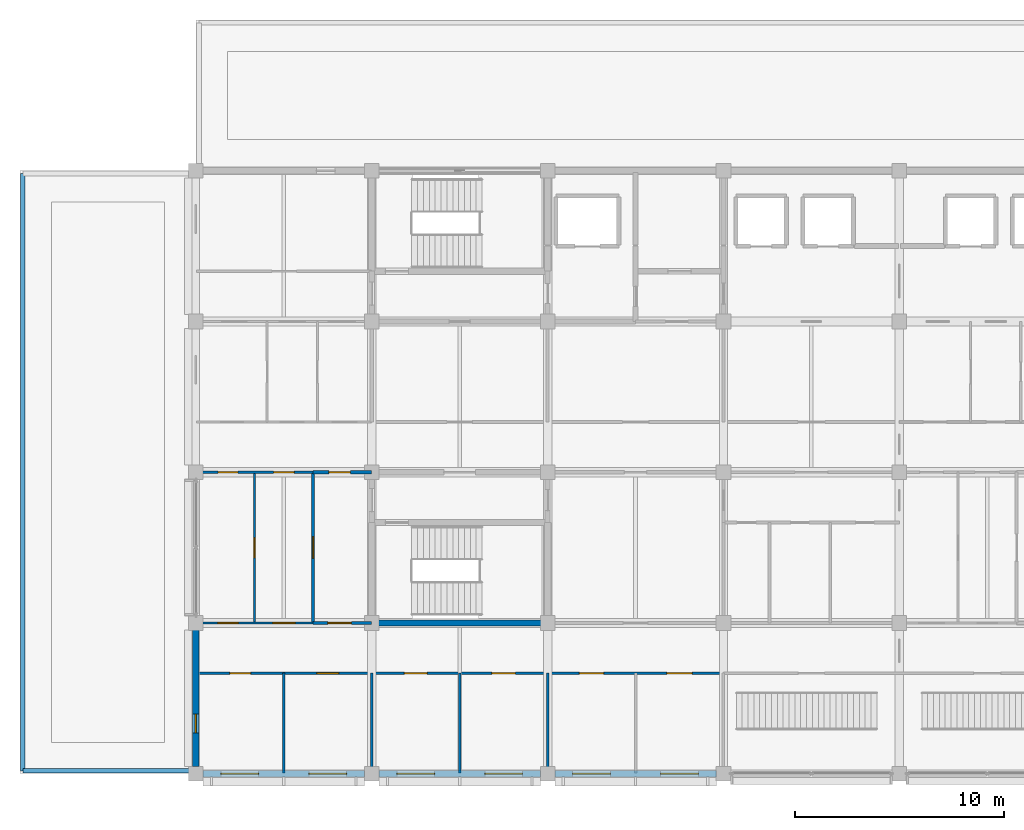
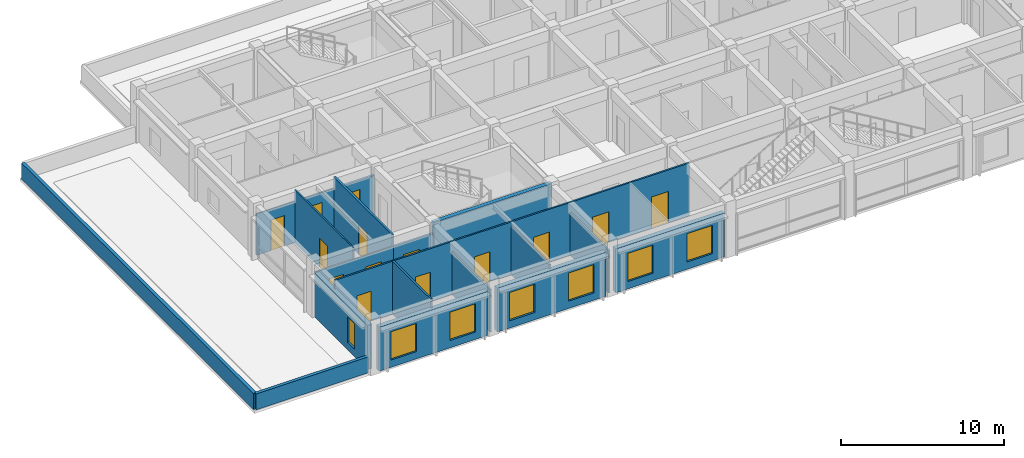
# One storey, part 9 of 19: 18 walls, 14 doors, 7 windows, 21 openings.
"""IFC4 building model written with IfcOpenShell, lengths in metres."""

from ifc_helpers import new_model, si_unit, direction, frame, frame_2d, origin, place, context, subcontext, project, spatial, rectangle, extrude, material, layer, layer_set, type_object, element, fill, save


model = new_model("IFC4")

# Units and contexts
model_context = context("Model", 3, precision=1e-05, world=origin(), true_north=direction((0.0, 1.0)))
body_context = subcontext(model_context, "Body", "Model", "MODEL_VIEW")
ifc_project = project(units=[si_unit("LENGTHUNIT", "METRE"), si_unit("AREAUNIT", "SQUARE_METRE"), si_unit("VOLUMEUNIT", "CUBIC_METRE"), si_unit("PLANEANGLEUNIT", "RADIAN"), si_unit("MASSUNIT", "GRAM", prefix="KILO")], contexts=[model_context])

# Site, building, storey
site_placement = place(None, origin())
site = spatial("IfcSite", under=ifc_project, at=site_placement, CompositionType="ELEMENT")
building_placement = place(site_placement, origin())
building = spatial("IfcBuilding", under=site, at=building_placement, Name="Chengyuan Square Courthouse", CompositionType="ELEMENT")
storey_placement = place(building_placement, frame((0.0, 0.0, 47.699951171875)))
storey = spatial("IfcBuildingStorey", under=building, at=storey_placement, Name="L11", CompositionType="ELEMENT", Elevation=47.699951171875)

# Wall, openings, windows
ifc_material_1 = material(Name="Concrete C40", Category="concrete")
ifc_layer_1 = layer(ifc_material_1, 0.320068359375)
ifc_layer_set_1 = layer_set([ifc_layer_1], Name="Concrete C40")
wall_type_1 = type_object("IfcWallType", Name="WL-EW3", PredefinedType="STANDARD", material=ifc_layer_set_1)
wall_1_placement = place(storey_placement, frame((50.7451171875, 79.199951171875, 0.0), z_axis=(0.0, 0.0, 1.0), x_axis=(1.0, 0.0, 0.0)))
wall_1 = element("IfcWall", 1, at=wall_1_placement, inside=storey, type_object=wall_type_1, Name="Exterior Wall WL-L11-E446", PredefinedType="STANDARD", context=body_context, shape_type="SweptSolid", body=[
    extrude(rectangle(XDim=7.7099609375, YDim=0.320068359375, at=frame_2d((3.85498046875, 0.0))), origin(), (0.0, 0.0, 1.0), 3.31005859375),
])
opening_1_placement = place(wall_1_placement, frame((0.85498046875, 0.0, 0.550048828125)))
opening_1 = element("IfcOpeningElement", 2, at=opening_1_placement, cuts=wall_1, Name="Opening WN-178", PredefinedType="OPENING", context=body_context, shape_type="SweptSolid", body=[
    extrude(rectangle(XDim=1.800048828125, YDim=2.1201171875, at=frame_2d((0.89990234375, 1.06005859375))), frame((0.0, 0.172119140625, 0.0), z_axis=(0.0, -1.0, 0.0), x_axis=(1.0, 0.0, 0.0)), (0.0, 0.0, 1.0), 0.343994140625),
])
opening_2_placement = place(wall_1_placement, frame((5.054931640625, 0.0, 0.550048828125)))
opening_2 = element("IfcOpeningElement", 3, at=opening_2_placement, cuts=wall_1, Name="Opening WN-179", PredefinedType="OPENING", context=body_context, shape_type="SweptSolid", body=[
    extrude(rectangle(XDim=1.800048828125, YDim=2.1201171875, at=frame_2d((0.89990234375, 1.06005859375))), frame((0.0, 0.172119140625, 0.0), z_axis=(0.0, -1.0, 0.0), x_axis=(1.0, 0.0, 0.0)), (0.0, 0.0, 1.0), 0.343994140625),
])
ifc_material_2 = material(Name="Thermally Broken Aluminium Triple Low-E Window", Category="aluminium")
window_type_1 = type_object("IfcWindowType", Name="WT-36", PartitioningType="SINGLE_PANEL", PredefinedType="WINDOW", material=ifc_material_2)
window_1_placement = place(opening_1_placement, origin())
window_1 = element("IfcWindow", 4, at=window_1_placement, inside=storey, type_object=window_type_1, Name="Facade Window WN-178", OverallHeight=2.1201171875, OverallWidth=1.800048828125, PartitioningType="SINGLE_PANEL", PredefinedType="WINDOW", context=body_context, shape_type="SweptSolid", body=[
    extrude(rectangle(XDim=1.800048828125, YDim=2.1201171875, at=frame_2d((0.89990234375, 1.06005859375))), frame((0.0, 0.030029296875, 0.0), z_axis=(0.0, -1.0, 0.0), x_axis=(1.0, 0.0, 0.0)), (0.0, 0.0, 1.0), 0.06005859375),
])
fill(opening_1, window_1)
window_2_placement = place(opening_2_placement, origin())
window_2 = element("IfcWindow", 5, at=window_2_placement, inside=storey, type_object=window_type_1, Name="Facade Window WN-179", OverallHeight=2.1201171875, OverallWidth=1.800048828125, PartitioningType="SINGLE_PANEL", PredefinedType="WINDOW", context=body_context, shape_type="SweptSolid", body=[
    extrude(rectangle(XDim=1.800048828125, YDim=2.1201171875, at=frame_2d((0.89990234375, 1.06005859375))), frame((0.0, 0.030029296875, 0.0), z_axis=(0.0, -1.0, 0.0), x_axis=(1.0, 0.0, 0.0)), (0.0, 0.0, 1.0), 0.06005859375),
])
fill(opening_2, window_2)

# Wall, opening, window
wall_2_placement = place(storey_placement, frame((50.39990234375, 79.544921875, 0.0), z_axis=(0.0, 0.0, 1.0), x_axis=(0.0, 1.0, 0.0)))
wall_2 = element("IfcWall", 6, at=wall_2_placement, inside=storey, type_object=wall_type_1, Name="Exterior Wall WL-L11-E447", PredefinedType="STANDARD", context=body_context, shape_type="SweptSolid", body=[
    extrude(rectangle(XDim=6.510009765625, YDim=0.320068359375, at=frame_2d((3.2548828125, 0.0))), origin(), (0.0, 0.0, 1.0), 3.31005859375),
])
opening_3_placement = place(wall_2_placement, frame((1.60498046875, 0.0, 0.550048828125)))
opening_3 = element("IfcOpeningElement", 7, at=opening_3_placement, cuts=wall_2, Name="Opening WN-180", PredefinedType="OPENING", context=body_context, shape_type="SweptSolid", body=[
    extrude(rectangle(XDim=0.89990234375, YDim=1.919921875, at=frame_2d((0.449951171875, 0.9599609375))), frame((0.0, 0.172119140625, 0.0), z_axis=(0.0, -1.0, 0.0), x_axis=(1.0, 0.0, 0.0)), (0.0, 0.0, 1.0), 0.343994140625),
])
window_type_2 = type_object("IfcWindowType", Name="WT-05", PartitioningType="SINGLE_PANEL", PredefinedType="WINDOW", material=ifc_material_2)
window_3_placement = place(opening_3_placement, origin())
window_3 = element("IfcWindow", 8, at=window_3_placement, inside=storey, type_object=window_type_2, Name="Facade Window WN-180", OverallHeight=1.919921875, OverallWidth=0.89990234375, PartitioningType="SINGLE_PANEL", PredefinedType="WINDOW", context=body_context, shape_type="SweptSolid", body=[
    extrude(rectangle(XDim=0.89990234375, YDim=1.919921875, at=frame_2d((0.449951171875, 0.9599609375))), frame((0.0, 0.030029296875, 0.0), z_axis=(0.0, -1.0, 0.0), x_axis=(1.0, 0.0, 0.0)), (0.0, 0.0, 1.0), 0.06005859375),
])
fill(opening_3, window_3)

# Wall, openings, windows
wall_3_placement = place(storey_placement, frame((59.14501953125, 79.199951171875, 0.0), z_axis=(0.0, 0.0, 1.0), x_axis=(1.0, 0.0, 0.0)))
wall_3 = element("IfcWall", 9, at=wall_3_placement, inside=storey, type_object=wall_type_1, Name="Exterior Wall WL-L11-E451", PredefinedType="STANDARD", context=body_context, shape_type="SweptSolid", body=[
    extrude(rectangle(XDim=7.7099609375, YDim=0.320068359375, at=frame_2d((3.85498046875, 0.0))), origin(), (0.0, 0.0, 1.0), 3.31005859375),
])
opening_4_placement = place(wall_3_placement, frame((0.85498046875, 0.0, 0.550048828125)))
opening_4 = element("IfcOpeningElement", 10, at=opening_4_placement, cuts=wall_3, Name="Opening WN-184", PredefinedType="OPENING", context=body_context, shape_type="SweptSolid", body=[
    extrude(rectangle(XDim=1.800048828125, YDim=2.1201171875, at=frame_2d((0.89990234375, 1.06005859375))), frame((0.0, 0.172119140625, 0.0), z_axis=(0.0, -1.0, 0.0), x_axis=(1.0, 0.0, 0.0)), (0.0, 0.0, 1.0), 0.343994140625),
])
opening_5_placement = place(wall_3_placement, frame((5.054931640625, 0.0, 0.550048828125)))
opening_5 = element("IfcOpeningElement", 11, at=opening_5_placement, cuts=wall_3, Name="Opening WN-185", PredefinedType="OPENING", context=body_context, shape_type="SweptSolid", body=[
    extrude(rectangle(XDim=1.800048828125, YDim=2.1201171875, at=frame_2d((0.89990234375, 1.06005859375))), frame((0.0, 0.172119140625, 0.0), z_axis=(0.0, -1.0, 0.0), x_axis=(1.0, 0.0, 0.0)), (0.0, 0.0, 1.0), 0.343994140625),
])
window_4_placement = place(opening_4_placement, origin())
window_4 = element("IfcWindow", 12, at=window_4_placement, inside=storey, type_object=window_type_1, Name="Facade Window WN-184", OverallHeight=2.1201171875, OverallWidth=1.800048828125, PartitioningType="SINGLE_PANEL", PredefinedType="WINDOW", context=body_context, shape_type="SweptSolid", body=[
    extrude(rectangle(XDim=1.800048828125, YDim=2.1201171875, at=frame_2d((0.89990234375, 1.06005859375))), frame((0.0, 0.030029296875, 0.0), z_axis=(0.0, -1.0, 0.0), x_axis=(1.0, 0.0, 0.0)), (0.0, 0.0, 1.0), 0.06005859375),
])
fill(opening_4, window_4)
window_5_placement = place(opening_5_placement, origin())
window_5 = element("IfcWindow", 13, at=window_5_placement, inside=storey, type_object=window_type_1, Name="Facade Window WN-185", OverallHeight=2.1201171875, OverallWidth=1.800048828125, PartitioningType="SINGLE_PANEL", PredefinedType="WINDOW", context=body_context, shape_type="SweptSolid", body=[
    extrude(rectangle(XDim=1.800048828125, YDim=2.1201171875, at=frame_2d((0.89990234375, 1.06005859375))), frame((0.0, 0.030029296875, 0.0), z_axis=(0.0, -1.0, 0.0), x_axis=(1.0, 0.0, 0.0)), (0.0, 0.0, 1.0), 0.06005859375),
])
fill(opening_5, window_5)

wall_4_placement = place(storey_placement, frame((67.544921875, 79.199951171875, 0.0), z_axis=(0.0, 0.0, 1.0), x_axis=(1.0, 0.0, 0.0)))
wall_4 = element("IfcWall", 14, at=wall_4_placement, inside=storey, type_object=wall_type_1, Name="Exterior Wall WL-L11-E453", PredefinedType="STANDARD", context=body_context, shape_type="SweptSolid", body=[
    extrude(rectangle(XDim=7.7099609375, YDim=0.320068359375, at=frame_2d((3.85498046875, 0.0))), origin(), (0.0, 0.0, 1.0), 3.31005859375),
])
opening_6_placement = place(wall_4_placement, frame((0.85498046875, 0.0, 0.550048828125)))
opening_6 = element("IfcOpeningElement", 15, at=opening_6_placement, cuts=wall_4, Name="Opening WN-186", PredefinedType="OPENING", context=body_context, shape_type="SweptSolid", body=[
    extrude(rectangle(XDim=1.800048828125, YDim=2.1201171875, at=frame_2d((0.89990234375, 1.06005859375))), frame((0.0, 0.172119140625, 0.0), z_axis=(0.0, -1.0, 0.0), x_axis=(1.0, 0.0, 0.0)), (0.0, 0.0, 1.0), 0.343994140625),
])
opening_7_placement = place(wall_4_placement, frame((5.054931640625, 0.0, 0.550048828125)))
opening_7 = element("IfcOpeningElement", 16, at=opening_7_placement, cuts=wall_4, Name="Opening WN-187", PredefinedType="OPENING", context=body_context, shape_type="SweptSolid", body=[
    extrude(rectangle(XDim=1.800048828125, YDim=2.1201171875, at=frame_2d((0.89990234375, 1.06005859375))), frame((0.0, 0.172119140625, 0.0), z_axis=(0.0, -1.0, 0.0), x_axis=(1.0, 0.0, 0.0)), (0.0, 0.0, 1.0), 0.343994140625),
])
window_6_placement = place(opening_6_placement, origin())
window_6 = element("IfcWindow", 17, at=window_6_placement, inside=storey, type_object=window_type_1, Name="Facade Window WN-186", OverallHeight=2.1201171875, OverallWidth=1.800048828125, PartitioningType="SINGLE_PANEL", PredefinedType="WINDOW", context=body_context, shape_type="SweptSolid", body=[
    extrude(rectangle(XDim=1.800048828125, YDim=2.1201171875, at=frame_2d((0.89990234375, 1.06005859375))), frame((0.0, 0.030029296875, 0.0), z_axis=(0.0, -1.0, 0.0), x_axis=(1.0, 0.0, 0.0)), (0.0, 0.0, 1.0), 0.06005859375),
])
fill(opening_6, window_6)
window_7_placement = place(opening_7_placement, origin())
window_7 = element("IfcWindow", 18, at=window_7_placement, inside=storey, type_object=window_type_1, Name="Facade Window WN-187", OverallHeight=2.1201171875, OverallWidth=1.800048828125, PartitioningType="SINGLE_PANEL", PredefinedType="WINDOW", context=body_context, shape_type="SweptSolid", body=[
    extrude(rectangle(XDim=1.800048828125, YDim=2.1201171875, at=frame_2d((0.89990234375, 1.06005859375))), frame((0.0, 0.030029296875, 0.0), z_axis=(0.0, -1.0, 0.0), x_axis=(1.0, 0.0, 0.0)), (0.0, 0.0, 1.0), 0.06005859375),
])
fill(opening_7, window_7)

# Walls
ifc_layer_2 = layer(ifc_material_1, 0.219970703125)
ifc_layer_set_2 = layer_set([ifc_layer_2], Name="Concrete C40")
wall_type_2 = type_object("IfcWallType", Name="WL-PR1", PredefinedType="PARAPET", material=ifc_layer_set_2)
wall_5_placement = place(storey_placement, frame((42.139892578125, 79.340087890625, 0.0), z_axis=(0.0, 0.0, 1.0), x_axis=(1.0, 0.0, 0.0)))
element("IfcWall", 19, at=wall_5_placement, inside=storey, type_object=wall_type_2, Name="Roof Parapet Wall PAR-L11-031", PredefinedType="PARAPET", context=body_context, shape_type="SweptSolid", body=[
    extrude(rectangle(XDim=7.960205078125, YDim=0.219970703125, at=frame_2d((3.97998046875, 0.0))), origin(), (0.0, 0.0, 1.0), 1.199951171875),
])
wall_6_placement = place(storey_placement, frame((42.139892578125, 107.860107421875, 0.0), z_axis=(0.0, 0.0, 1.0), x_axis=(0.0, -1.0, 0.0)))
element("IfcWall", 20, at=wall_6_placement, inside=storey, type_object=wall_type_2, Name="Roof Parapet Wall PAR-L11-033", PredefinedType="PARAPET", context=body_context, shape_type="SweptSolid", body=[
    extrude(rectangle(XDim=28.52001953125, YDim=0.219970703125, at=frame_2d((14.260009765625, 0.0))), origin(), (0.0, 0.0, 1.0), 1.199951171875),
])

# Wall, opening, door
ifc_material_3 = material(Name="Deliberation Room Sound-Insulated Partition")
ifc_layer_3 = layer(ifc_material_3, 0.14990234375)
ifc_layer_set_3 = layer_set([ifc_layer_3], Name="Deliberation Room Sound-Insulated Partition")
wall_type_3 = type_object("IfcWallType", Name="WL-PT3", PredefinedType="STANDARD", material=ifc_layer_set_3)
wall_7_placement = place(storey_placement, frame((56.0, 86.39990234375, 0.0), z_axis=(0.0, 0.0, 1.0), x_axis=(1.0, 0.0, 0.0)))
wall_7 = element("IfcWall", 21, at=wall_7_placement, inside=storey, type_object=wall_type_3, Name="Interior Wall WL-L11-I3510", PredefinedType="STANDARD", context=body_context, shape_type="SweptSolid", body=[
    extrude(rectangle(XDim=2.800048828125, YDim=0.14990234375, at=frame_2d((1.39990234375, 0.0))), origin(), (0.0, 0.0, 1.0), 3.110107421875),
])
opening_8_placement = place(wall_7_placement, frame((0.705078125, 0.0, 0.0)))
opening_8 = element("IfcOpeningElement", 22, at=opening_8_placement, cuts=wall_7, Name="Opening DR-2988", PredefinedType="OPENING", context=body_context, shape_type="SweptSolid", body=[
    extrude(rectangle(XDim=1.1201171875, YDim=2.25, at=frame_2d((0.56005859375, 1.125))), frame((0.0, 0.0869140625, 0.0), z_axis=(0.0, -1.0, 0.0), x_axis=(1.0, 0.0, 0.0)), (0.0, 0.0, 1.0), 0.173828125),
])
ifc_material_4 = material(Name="Acoustic Solid-Core Timber Door", Category="wood")
door_type_1 = type_object("IfcDoorType", Name="DT-34", OperationType="NOTDEFINED", PredefinedType="DOOR", material=ifc_material_4)
door_1_placement = place(opening_8_placement, origin())
door_1 = element("IfcDoor", 23, at=door_1_placement, inside=storey, type_object=door_type_1, Name="Interior Door DR-2988", OperationType="SINGLE_SWING_LEFT", OverallHeight=2.25, OverallWidth=1.1201171875, PredefinedType="DOOR", context=body_context, shape_type="SweptSolid", body=[
    extrude(rectangle(XDim=1.1201171875, YDim=2.25, at=frame_2d((0.56005859375, 1.125))), frame((0.0, 0.02490234375, 0.0), z_axis=(0.0, -1.0, 0.0), x_axis=(1.0, 0.0, 0.0)), (0.0, 0.0, 1.0), 0.050048828125),
])
fill(opening_8, door_1)

wall_8_placement = place(storey_placement, frame((56.0, 93.60009765625, 0.0), z_axis=(0.0, 0.0, 1.0), x_axis=(1.0, 0.0, 0.0)))
wall_8 = element("IfcWall", 24, at=wall_8_placement, inside=storey, type_object=wall_type_3, Name="Interior Wall WL-L11-I3523", PredefinedType="STANDARD", context=body_context, shape_type="SweptSolid", body=[
    extrude(rectangle(XDim=2.800048828125, YDim=0.14990234375, at=frame_2d((1.39990234375, 0.0))), origin(), (0.0, 0.0, 1.0), 3.110107421875),
])
opening_9_placement = place(wall_8_placement, frame((0.7548828125, 0.0, 0.0)))
opening_9 = element("IfcOpeningElement", 25, at=opening_9_placement, cuts=wall_8, Name="Opening DR-2961", PredefinedType="OPENING", context=body_context, shape_type="SweptSolid", body=[
    extrude(rectangle(XDim=1.02001953125, YDim=2.39990234375, at=frame_2d((0.510009765625, 1.199951171875))), frame((0.0, 0.0869140625, 0.0), z_axis=(0.0, -1.0, 0.0), x_axis=(1.0, 0.0, 0.0)), (0.0, 0.0, 1.0), 0.173828125),
])
door_type_2 = type_object("IfcDoorType", Name="DT-41", OperationType="NOTDEFINED", PredefinedType="DOOR", material=ifc_material_4)
door_2_placement = place(opening_9_placement, origin())
door_2 = element("IfcDoor", 26, at=door_2_placement, inside=storey, type_object=door_type_2, Name="Interior Door DR-2961", OperationType="SINGLE_SWING_RIGHT", OverallHeight=2.39990234375, OverallWidth=1.02001953125, PredefinedType="DOOR", context=body_context, shape_type="SweptSolid", body=[
    extrude(rectangle(XDim=1.02001953125, YDim=2.39990234375, at=frame_2d((0.510009765625, 1.199951171875))), frame((0.0, 0.02490234375, 0.0), z_axis=(0.0, -1.0, 0.0), x_axis=(1.0, 0.0, 0.0)), (0.0, 0.0, 1.0), 0.050048828125),
])
fill(opening_9, door_2)

wall_9_placement = place(storey_placement, frame((56.0, 86.39990234375, 0.0), z_axis=(0.0, 0.0, 1.0), x_axis=(0.0, 1.0, 0.0)))
wall_9 = element("IfcWall", 27, at=wall_9_placement, inside=storey, type_object=wall_type_3, Name="Interior Wall WL-L11-I3566", PredefinedType="STANDARD", context=body_context, shape_type="SweptSolid", body=[
    extrude(rectangle(XDim=7.2001953125, YDim=0.14990234375, at=frame_2d((3.60009765625, 0.0))), origin(), (0.0, 0.0, 1.0), 3.9599609375),
])
opening_10_placement = place(wall_9_placement, frame((3.080078125, 0.0, 0.0)))
opening_10 = element("IfcOpeningElement", 28, at=opening_10_placement, cuts=wall_9, Name="Opening DR-2986", PredefinedType="OPENING", context=body_context, shape_type="SweptSolid", body=[
    extrude(rectangle(XDim=1.0400390625, YDim=2.199951171875, at=frame_2d((0.52001953125, 1.10009765625))), frame((0.0, 0.0869140625, 0.0), z_axis=(0.0, -1.0, 0.0), x_axis=(1.0, 0.0, 0.0)), (0.0, 0.0, 1.0), 0.173828125),
])
door_type_3 = type_object("IfcDoorType", Name="DT-32", OperationType="NOTDEFINED", PredefinedType="DOOR", material=ifc_material_4)
door_3_placement = place(opening_10_placement, origin())
door_3 = element("IfcDoor", 29, at=door_3_placement, inside=storey, type_object=door_type_3, Name="Interior Door DR-2986", OperationType="SINGLE_SWING_LEFT", OverallHeight=2.199951171875, OverallWidth=1.0400390625, PredefinedType="DOOR", context=body_context, shape_type="SweptSolid", body=[
    extrude(rectangle(XDim=1.0400390625, YDim=2.199951171875, at=frame_2d((0.52001953125, 1.10009765625))), frame((0.0, 0.02490234375, 0.0), z_axis=(0.0, -1.0, 0.0), x_axis=(1.0, 0.0, 0.0)), (0.0, 0.0, 1.0), 0.050048828125),
])
fill(opening_10, door_3)

# Wall, openings, doors
ifc_material_5 = material(Name="Judges Chambers Gypsum Stud Partition")
ifc_layer_4 = layer(ifc_material_5, 0.1201171875)
ifc_layer_set_4 = layer_set([ifc_layer_4], Name="Judges Chambers Gypsum Stud Partition")
wall_type_4 = type_object("IfcWallType", Name="WL-PT5", PredefinedType="STANDARD", material=ifc_layer_set_4)
wall_10_placement = place(storey_placement, frame((50.43994140625, 84.0, 0.0), z_axis=(0.0, 0.0, 1.0), x_axis=(1.0, 0.0, 0.0)))
wall_10 = element("IfcWall", 30, at=wall_10_placement, inside=storey, type_object=wall_type_4, Name="Interior Wall WL-L11-I3506", PredefinedType="STANDARD", context=body_context, shape_type="SweptSolid", body=[
    extrude(rectangle(XDim=25.16015625, YDim=0.1201171875, at=frame_2d((12.580078125, 0.0))), origin(), (0.0, 0.0, 1.0), 3.9599609375),
])
opening_11_placement = place(wall_10_placement, frame((1.580078125, 0.0, 0.0)))
opening_11 = element("IfcOpeningElement", 31, at=opening_11_placement, cuts=wall_10, Name="Opening DR-3002", PredefinedType="OPENING", context=body_context, shape_type="SweptSolid", body=[
    extrude(rectangle(XDim=1.0, YDim=2.25, at=frame_2d((0.5, 1.125))), frame((0.0, 0.072021484375, 0.0), z_axis=(0.0, -1.0, 0.0), x_axis=(1.0, 0.0, 0.0)), (0.0, 0.0, 1.0), 0.14404296875),
])
opening_12_placement = place(wall_10_placement, frame((5.739990234375, 0.0, 0.0)))
opening_12 = element("IfcOpeningElement", 32, at=opening_12_placement, cuts=wall_10, Name="Opening DR-3003", PredefinedType="OPENING", context=body_context, shape_type="SweptSolid", body=[
    extrude(rectangle(XDim=1.0400390625, YDim=2.199951171875, at=frame_2d((0.52001953125, 1.10009765625))), frame((0.0, 0.072021484375, 0.0), z_axis=(0.0, -1.0, 0.0), x_axis=(1.0, 0.0, 0.0)), (0.0, 0.0, 1.0), 0.14404296875),
])
opening_13_placement = place(wall_10_placement, frame((9.919921875, 0.0, 0.0)))
opening_13 = element("IfcOpeningElement", 33, at=opening_13_placement, cuts=wall_10, Name="Opening DR-3004", PredefinedType="OPENING", context=body_context, shape_type="SweptSolid", body=[
    extrude(rectangle(XDim=1.080078125, YDim=2.25, at=frame_2d((0.5400390625, 1.125))), frame((0.0, 0.072021484375, 0.0), z_axis=(0.0, -1.0, 0.0), x_axis=(1.0, 0.0, 0.0)), (0.0, 0.0, 1.0), 0.14404296875),
])
opening_14_placement = place(wall_10_placement, frame((14.10009765625, 0.0, 0.0)))
opening_14 = element("IfcOpeningElement", 34, at=opening_14_placement, cuts=wall_10, Name="Opening DR-3005", PredefinedType="OPENING", context=body_context, shape_type="SweptSolid", body=[
    extrude(rectangle(XDim=1.1201171875, YDim=2.25, at=frame_2d((0.56005859375, 1.125))), frame((0.0, 0.072021484375, 0.0), z_axis=(0.0, -1.0, 0.0), x_axis=(1.0, 0.0, 0.0)), (0.0, 0.0, 1.0), 0.14404296875),
])
opening_15_placement = place(wall_10_placement, frame((18.280029296875, 0.0, 0.0)))
opening_15 = element("IfcOpeningElement", 35, at=opening_15_placement, cuts=wall_10, Name="Opening DR-3006", PredefinedType="OPENING", context=body_context, shape_type="SweptSolid", body=[
    extrude(rectangle(XDim=1.159912109375, YDim=2.300048828125, at=frame_2d((0.580078125, 1.14990234375))), frame((0.0, 0.072021484375, 0.0), z_axis=(0.0, -1.0, 0.0), x_axis=(1.0, 0.0, 0.0)), (0.0, 0.0, 1.0), 0.14404296875),
])
opening_16_placement = place(wall_10_placement, frame((22.4599609375, 0.0, 0.0)))
opening_16 = element("IfcOpeningElement", 36, at=opening_16_placement, cuts=wall_10, Name="Opening DR-3007", PredefinedType="OPENING", context=body_context, shape_type="SweptSolid", body=[
    extrude(rectangle(XDim=1.199951171875, YDim=2.35009765625, at=frame_2d((0.60009765625, 1.175048828125))), frame((0.0, 0.072021484375, 0.0), z_axis=(0.0, -1.0, 0.0), x_axis=(1.0, 0.0, 0.0)), (0.0, 0.0, 1.0), 0.14404296875),
])
door_type_4 = type_object("IfcDoorType", Name="DT-31", OperationType="NOTDEFINED", PredefinedType="DOOR", material=ifc_material_4)
door_4_placement = place(opening_11_placement, origin())
door_4 = element("IfcDoor", 37, at=door_4_placement, inside=storey, type_object=door_type_4, Name="Interior Door DR-3002", OperationType="SINGLE_SWING_LEFT", OverallHeight=2.25, OverallWidth=1.0, PredefinedType="DOOR", context=body_context, shape_type="SweptSolid", body=[
    extrude(rectangle(XDim=1.0, YDim=2.25, at=frame_2d((0.5, 1.125))), frame((0.0, 0.02490234375, 0.0), z_axis=(0.0, -1.0, 0.0), x_axis=(1.0, 0.0, 0.0)), (0.0, 0.0, 1.0), 0.050048828125),
])
fill(opening_11, door_4)
door_5_placement = place(opening_12_placement, origin())
door_5 = element("IfcDoor", 38, at=door_5_placement, inside=storey, type_object=door_type_3, Name="Interior Door DR-3003", OperationType="SINGLE_SWING_RIGHT", OverallHeight=2.199951171875, OverallWidth=1.0400390625, PredefinedType="DOOR", context=body_context, shape_type="SweptSolid", body=[
    extrude(rectangle(XDim=1.0400390625, YDim=2.199951171875, at=frame_2d((0.52001953125, 1.10009765625))), frame((0.0, 0.02490234375, 0.0), z_axis=(0.0, -1.0, 0.0), x_axis=(1.0, 0.0, 0.0)), (0.0, 0.0, 1.0), 0.050048828125),
])
fill(opening_12, door_5)
door_type_5 = type_object("IfcDoorType", Name="DT-33", OperationType="NOTDEFINED", PredefinedType="DOOR", material=ifc_material_4)
door_6_placement = place(opening_13_placement, origin())
door_6 = element("IfcDoor", 39, at=door_6_placement, inside=storey, type_object=door_type_5, Name="Interior Door DR-3004", OperationType="SINGLE_SWING_LEFT", OverallHeight=2.25, OverallWidth=1.080078125, PredefinedType="DOOR", context=body_context, shape_type="SweptSolid", body=[
    extrude(rectangle(XDim=1.080078125, YDim=2.25, at=frame_2d((0.5400390625, 1.125))), frame((0.0, 0.02490234375, 0.0), z_axis=(0.0, -1.0, 0.0), x_axis=(1.0, 0.0, 0.0)), (0.0, 0.0, 1.0), 0.050048828125),
])
fill(opening_13, door_6)
door_7_placement = place(opening_14_placement, origin())
door_7 = element("IfcDoor", 40, at=door_7_placement, inside=storey, type_object=door_type_1, Name="Interior Door DR-3005", OperationType="SINGLE_SWING_RIGHT", OverallHeight=2.25, OverallWidth=1.1201171875, PredefinedType="DOOR", context=body_context, shape_type="SweptSolid", body=[
    extrude(rectangle(XDim=1.1201171875, YDim=2.25, at=frame_2d((0.56005859375, 1.125))), frame((0.0, 0.02490234375, 0.0), z_axis=(0.0, -1.0, 0.0), x_axis=(1.0, 0.0, 0.0)), (0.0, 0.0, 1.0), 0.050048828125),
])
fill(opening_14, door_7)
door_type_6 = type_object("IfcDoorType", Name="DT-35", OperationType="NOTDEFINED", PredefinedType="DOOR", material=ifc_material_4)
door_8_placement = place(opening_15_placement, origin())
door_8 = element("IfcDoor", 41, at=door_8_placement, inside=storey, type_object=door_type_6, Name="Interior Door DR-3006", OperationType="SINGLE_SWING_LEFT", OverallHeight=2.300048828125, OverallWidth=1.159912109375, PredefinedType="DOOR", context=body_context, shape_type="SweptSolid", body=[
    extrude(rectangle(XDim=1.159912109375, YDim=2.300048828125, at=frame_2d((0.580078125, 1.14990234375))), frame((0.0, 0.02490234375, 0.0), z_axis=(0.0, -1.0, 0.0), x_axis=(1.0, 0.0, 0.0)), (0.0, 0.0, 1.0), 0.050048828125),
])
fill(opening_15, door_8)
door_type_7 = type_object("IfcDoorType", Name="DT-36", OperationType="NOTDEFINED", PredefinedType="DOOR", material=ifc_material_4)
door_9_placement = place(opening_16_placement, origin())
door_9 = element("IfcDoor", 42, at=door_9_placement, inside=storey, type_object=door_type_7, Name="Interior Door DR-3007", OperationType="SINGLE_SWING_RIGHT", OverallHeight=2.35009765625, OverallWidth=1.199951171875, PredefinedType="DOOR", context=body_context, shape_type="SweptSolid", body=[
    extrude(rectangle(XDim=1.199951171875, YDim=2.35009765625, at=frame_2d((0.60009765625, 1.175048828125))), frame((0.0, 0.02490234375, 0.0), z_axis=(0.0, -1.0, 0.0), x_axis=(1.0, 0.0, 0.0)), (0.0, 0.0, 1.0), 0.050048828125),
])
fill(opening_16, door_9)

# Walls
wall_11_placement = place(storey_placement, frame((54.60009765625, 79.239990234375, 0.0), z_axis=(0.0, 0.0, 1.0), x_axis=(0.0, 1.0, 0.0)))
element("IfcWall", 43, at=wall_11_placement, inside=storey, type_object=wall_type_4, Name="Interior Wall WL-L11-I3565", PredefinedType="STANDARD", context=body_context, shape_type="SweptSolid", body=[
    extrude(rectangle(XDim=4.760009765625, YDim=0.1201171875, at=frame_2d((2.3798828125, 0.0))), origin(), (0.0, 0.0, 1.0), 3.9599609375),
])
wall_12_placement = place(storey_placement, frame((58.800048828125, 79.239990234375, 0.0), z_axis=(0.0, 0.0, 1.0), x_axis=(0.0, 1.0, 0.0)))
element("IfcWall", 44, at=wall_12_placement, inside=storey, type_object=wall_type_4, Name="Interior Wall WL-L11-I3568", PredefinedType="STANDARD", context=body_context, shape_type="SweptSolid", body=[
    extrude(rectangle(XDim=4.760009765625, YDim=0.1201171875, at=frame_2d((2.3798828125, 0.0))), origin(), (0.0, 0.0, 1.0), 3.2099609375),
])
wall_13_placement = place(storey_placement, frame((63.0, 79.239990234375, 0.0), z_axis=(0.0, 0.0, 1.0), x_axis=(0.0, 1.0, 0.0)))
element("IfcWall", 45, at=wall_13_placement, inside=storey, type_object=wall_type_4, Name="Interior Wall WL-L11-I3574", PredefinedType="STANDARD", context=body_context, shape_type="SweptSolid", body=[
    extrude(rectangle(XDim=4.760009765625, YDim=0.1201171875, at=frame_2d((2.3798828125, 0.0))), origin(), (0.0, 0.0, 1.0), 3.610107421875),
])
wall_14_placement = place(storey_placement, frame((67.199951171875, 79.239990234375, 0.0), z_axis=(0.0, 0.0, 1.0), x_axis=(0.0, 1.0, 0.0)))
element("IfcWall", 46, at=wall_14_placement, inside=storey, type_object=wall_type_4, Name="Interior Wall WL-L11-I3575", PredefinedType="STANDARD", context=body_context, shape_type="SweptSolid", body=[
    extrude(rectangle(XDim=4.760009765625, YDim=0.1201171875, at=frame_2d((2.3798828125, 0.0))), origin(), (0.0, 0.0, 1.0), 3.2099609375),
])

# Wall, openings, doors
ifc_material_6 = material(Name="Gypsum Plasterboard Acoustic Stud Partition")
ifc_layer_5 = layer(ifc_material_6, 0.10009765625)
ifc_layer_set_5 = layer_set([ifc_layer_5], Name="Gypsum Plasterboard Acoustic Stud Partition")
wall_type_5 = type_object("IfcWallType", Name="WL-PT6", PredefinedType="STANDARD", material=ifc_layer_set_5)
wall_15_placement = place(storey_placement, frame((50.43994140625, 86.39990234375, 0.0), z_axis=(0.0, 0.0, 1.0), x_axis=(1.0, 0.0, 0.0)))
wall_15 = element("IfcWall", 47, at=wall_15_placement, inside=storey, type_object=wall_type_5, Name="Interior Wall WL-L11-I3509", PredefinedType="STANDARD", context=body_context, shape_type="SweptSolid", body=[
    extrude(rectangle(XDim=5.56005859375, YDim=0.10009765625, at=frame_2d((2.780029296875, 0.0))), origin(), (0.0, 0.0, 1.0), 3.110107421875),
])
opening_17_placement = place(wall_15_placement, frame((0.9951171875, 0.0, 0.0)))
opening_17 = element("IfcOpeningElement", 48, at=opening_17_placement, cuts=wall_15, Name="Opening DR-2985", PredefinedType="OPENING", context=body_context, shape_type="SweptSolid", body=[
    extrude(rectangle(XDim=1.0, YDim=2.25, at=frame_2d((0.5, 1.125))), frame((0.0, 0.06201171875, 0.0), z_axis=(0.0, -1.0, 0.0), x_axis=(1.0, 0.0, 0.0)), (0.0, 0.0, 1.0), 0.1240234375),
])
opening_18_placement = place(wall_15_placement, frame((3.6201171875, 0.0, 0.0)))
opening_18 = element("IfcOpeningElement", 49, at=opening_18_placement, cuts=wall_15, Name="Opening DR-2987", PredefinedType="OPENING", context=body_context, shape_type="SweptSolid", body=[
    extrude(rectangle(XDim=1.080078125, YDim=2.25, at=frame_2d((0.5400390625, 1.125))), frame((0.0, 0.06201171875, 0.0), z_axis=(0.0, -1.0, 0.0), x_axis=(1.0, 0.0, 0.0)), (0.0, 0.0, 1.0), 0.1240234375),
])
door_10_placement = place(opening_17_placement, origin())
door_10 = element("IfcDoor", 50, at=door_10_placement, inside=storey, type_object=door_type_4, Name="Interior Door DR-2985", OperationType="SINGLE_SWING_RIGHT", OverallHeight=2.25, OverallWidth=1.0, PredefinedType="DOOR", context=body_context, shape_type="SweptSolid", body=[
    extrude(rectangle(XDim=1.0, YDim=2.25, at=frame_2d((0.5, 1.125))), frame((0.0, 0.02490234375, 0.0), z_axis=(0.0, -1.0, 0.0), x_axis=(1.0, 0.0, 0.0)), (0.0, 0.0, 1.0), 0.050048828125),
])
fill(opening_17, door_10)
door_11_placement = place(opening_18_placement, origin())
door_11 = element("IfcDoor", 51, at=door_11_placement, inside=storey, type_object=door_type_5, Name="Interior Door DR-2987", OperationType="SINGLE_SWING_RIGHT", OverallHeight=2.25, OverallWidth=1.080078125, PredefinedType="DOOR", context=body_context, shape_type="SweptSolid", body=[
    extrude(rectangle(XDim=1.080078125, YDim=2.25, at=frame_2d((0.5400390625, 1.125))), frame((0.0, 0.02490234375, 0.0), z_axis=(0.0, -1.0, 0.0), x_axis=(1.0, 0.0, 0.0)), (0.0, 0.0, 1.0), 0.050048828125),
])
fill(opening_18, door_11)

wall_16_placement = place(storey_placement, frame((50.43994140625, 93.60009765625, 0.0), z_axis=(0.0, 0.0, 1.0), x_axis=(1.0, 0.0, 0.0)))
wall_16 = element("IfcWall", 52, at=wall_16_placement, inside=storey, type_object=wall_type_5, Name="Interior Wall WL-L11-I3522", PredefinedType="STANDARD", context=body_context, shape_type="SweptSolid", body=[
    extrude(rectangle(XDim=5.56005859375, YDim=0.10009765625, at=frame_2d((2.780029296875, 0.0))), origin(), (0.0, 0.0, 1.0), 3.110107421875),
])
opening_19_placement = place(wall_16_placement, frame((1.02490234375, 0.0, 0.0)))
opening_19 = element("IfcOpeningElement", 53, at=opening_19_placement, cuts=wall_16, Name="Opening DR-2959", PredefinedType="OPENING", context=body_context, shape_type="SweptSolid", body=[
    extrude(rectangle(XDim=0.93994140625, YDim=2.300048828125, at=frame_2d((0.469970703125, 1.14990234375))), frame((0.0, 0.06201171875, 0.0), z_axis=(0.0, -1.0, 0.0), x_axis=(1.0, 0.0, 0.0)), (0.0, 0.0, 1.0), 0.1240234375),
])
opening_20_placement = place(wall_16_placement, frame((3.669921875, 0.0, 0.0)))
opening_20 = element("IfcOpeningElement", 54, at=opening_20_placement, cuts=wall_16, Name="Opening DR-2960", PredefinedType="OPENING", context=body_context, shape_type="SweptSolid", body=[
    extrude(rectangle(XDim=0.97998046875, YDim=2.35009765625, at=frame_2d((0.489990234375, 1.175048828125))), frame((0.0, 0.06201171875, 0.0), z_axis=(0.0, -1.0, 0.0), x_axis=(1.0, 0.0, 0.0)), (0.0, 0.0, 1.0), 0.1240234375),
])
door_type_8 = type_object("IfcDoorType", Name="DT-39", OperationType="NOTDEFINED", PredefinedType="DOOR", material=ifc_material_4)
door_12_placement = place(opening_19_placement, origin())
door_12 = element("IfcDoor", 55, at=door_12_placement, inside=storey, type_object=door_type_8, Name="Interior Door DR-2959", OperationType="SINGLE_SWING_RIGHT", OverallHeight=2.300048828125, OverallWidth=0.93994140625, PredefinedType="DOOR", context=body_context, shape_type="SweptSolid", body=[
    extrude(rectangle(XDim=0.93994140625, YDim=2.300048828125, at=frame_2d((0.469970703125, 1.14990234375))), frame((0.0, 0.02490234375, 0.0), z_axis=(0.0, -1.0, 0.0), x_axis=(1.0, 0.0, 0.0)), (0.0, 0.0, 1.0), 0.050048828125),
])
fill(opening_19, door_12)
door_type_9 = type_object("IfcDoorType", Name="DT-40", OperationType="NOTDEFINED", PredefinedType="DOOR", material=ifc_material_4)
door_13_placement = place(opening_20_placement, origin())
door_13 = element("IfcDoor", 56, at=door_13_placement, inside=storey, type_object=door_type_9, Name="Interior Door DR-2960", OperationType="SINGLE_SWING_LEFT", OverallHeight=2.35009765625, OverallWidth=0.97998046875, PredefinedType="DOOR", context=body_context, shape_type="SweptSolid", body=[
    extrude(rectangle(XDim=0.97998046875, YDim=2.35009765625, at=frame_2d((0.489990234375, 1.175048828125))), frame((0.0, 0.02490234375, 0.0), z_axis=(0.0, -1.0, 0.0), x_axis=(1.0, 0.0, 0.0)), (0.0, 0.0, 1.0), 0.050048828125),
])
fill(opening_20, door_13)

# Wall, opening, door
wall_17_placement = place(storey_placement, frame((53.199951171875, 86.39990234375, 0.0), z_axis=(0.0, 0.0, 1.0), x_axis=(0.0, 1.0, 0.0)))
wall_17 = element("IfcWall", 57, at=wall_17_placement, inside=storey, type_object=wall_type_5, Name="Interior Wall WL-L11-I3563", PredefinedType="STANDARD", context=body_context, shape_type="SweptSolid", body=[
    extrude(rectangle(XDim=7.2001953125, YDim=0.10009765625, at=frame_2d((3.60009765625, 0.0))), origin(), (0.0, 0.0, 1.0), 3.9599609375),
])
opening_21_placement = place(wall_17_placement, frame((3.1201171875, 0.0, 0.0)))
opening_21 = element("IfcOpeningElement", 58, at=opening_21_placement, cuts=wall_17, Name="Opening DR-2984", PredefinedType="OPENING", context=body_context, shape_type="SweptSolid", body=[
    extrude(rectangle(XDim=0.9599609375, YDim=2.199951171875, at=frame_2d((0.47998046875, 1.10009765625))), frame((0.0, 0.06201171875, 0.0), z_axis=(0.0, -1.0, 0.0), x_axis=(1.0, 0.0, 0.0)), (0.0, 0.0, 1.0), 0.1240234375),
])
door_type_10 = type_object("IfcDoorType", Name="DT-30", OperationType="NOTDEFINED", PredefinedType="DOOR", material=ifc_material_4)
door_14_placement = place(opening_21_placement, origin())
door_14 = element("IfcDoor", 59, at=door_14_placement, inside=storey, type_object=door_type_10, Name="Interior Door DR-2984", OperationType="SINGLE_SWING_LEFT", OverallHeight=2.199951171875, OverallWidth=0.9599609375, PredefinedType="DOOR", context=body_context, shape_type="SweptSolid", body=[
    extrude(rectangle(XDim=0.9599609375, YDim=2.199951171875, at=frame_2d((0.47998046875, 1.10009765625))), frame((0.0, 0.02490234375, 0.0), z_axis=(0.0, -1.0, 0.0), x_axis=(1.0, 0.0, 0.0)), (0.0, 0.0, 1.0), 0.050048828125),
])
fill(opening_21, door_14)

# Wall
ifc_layer_6 = layer(ifc_material_1, 0.300048828125)
ifc_layer_set_6 = layer_set([ifc_layer_6], Name="Concrete C40")
wall_type_6 = type_object("IfcWallType", Name="WL-SW2", PredefinedType="SHEAR", material=ifc_layer_set_6)
wall_18_placement = place(storey_placement, frame((58.800048828125, 86.39990234375, 0.0), z_axis=(0.0, 0.0, 1.0), x_axis=(1.0, 0.0, 0.0)))
element("IfcWall", 60, at=wall_18_placement, inside=storey, type_object=wall_type_6, Name="Interior Wall WL-L11-I3511", PredefinedType="SHEAR", context=body_context, shape_type="SweptSolid", body=[
    extrude(rectangle(XDim=8.39990234375, YDim=0.300048828125, at=frame_2d((4.199951171875, 0.0))), origin(), (0.0, 0.0, 1.0), 3.9599609375),
])

save(model, "model.ifc")
